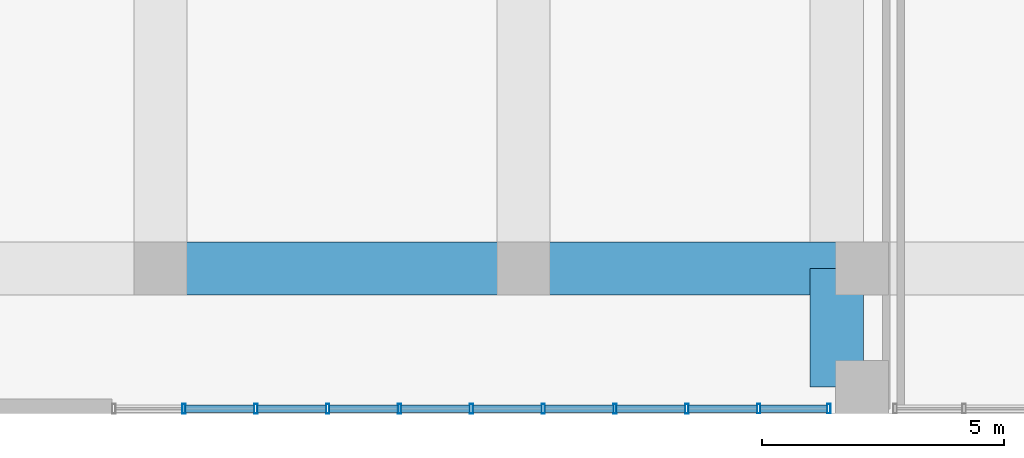
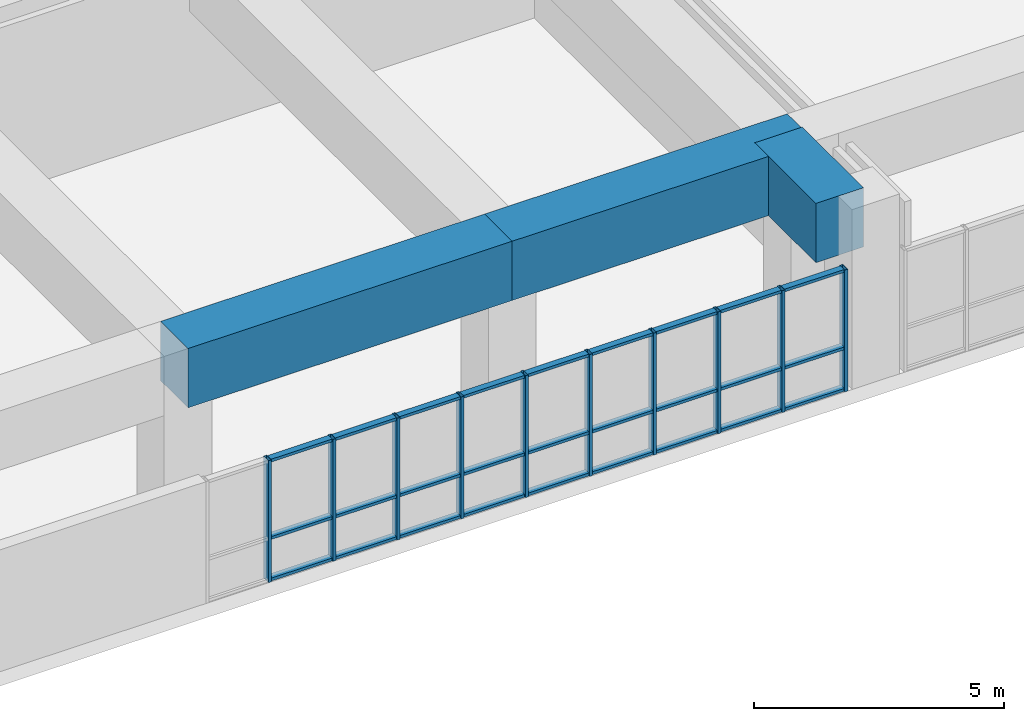
# One storey, part 4 of 28: 37 members, 3 beams, 1 element without a shape of its own.
"""IFC4 building model written with IfcOpenShell, lengths in metres."""

import ifcopenshell
import ifcopenshell.guid

model = None  # the IFC model being written
_history = None  # IfcOwnerHistory: only IFC2X3 demands one
_inside = {}  # id of a spatial element -> (the spatial element, [elements in it])
_under = {}  # id of a project, library or spatial element -> (it, [spatial elements below it])
_declared = {}  # id of a project -> (the project, [libraries it declares])
_typed = {}  # id of a type object -> (the type object, [elements of that type])
_made_of = {}  # id of a material, layer set ... -> (it, [elements and type objects made of it])


def new_model(schema):
    """Start an empty IFC model of exactly this schema.

    Asked for "IFC4X3", IfcOpenShell would pick the latest addendum, in which some entities
    have other attributes; the version numbers below select the first issue.
    IFC2X3 requires an IfcOwnerHistory on every rooted entity: one is made here for all.
    """
    global model, _history
    if schema == "IFC4X3":
        model = ifcopenshell.file(schema_version=(4, 3, 0, 0))
    else:
        model = ifcopenshell.file(schema=schema)
    _inside.clear()
    _under.clear()
    _declared.clear()
    _typed.clear()
    _made_of.clear()
    _history = None
    if model.schema == "IFC2X3":
        org = make("IfcOrganization", Name="unknown")
        user = make(
            "IfcPersonAndOrganization",
            ThePerson=make("IfcPerson", FamilyName="unknown"),
            TheOrganization=org,
        )
        app = make(
            "IfcApplication",
            ApplicationDeveloper=org,
            Version="unknown",
            ApplicationFullName="unknown",
            ApplicationIdentifier="unknown",
        )
        _history = make(
            "IfcOwnerHistory",
            OwningUser=user,
            OwningApplication=app,
            ChangeAction="ADDED",
            CreationDate=0,
        )
    return model


def make(cls, **values):
    """One entity of the class cls with the attributes given. An attribute that is None is left unset."""
    return model.create_entity(
        cls, **{name: value for name, value in values.items() if value is not None}
    )


def rooted(cls, **values):
    """An entity with a GlobalId (a new one), such as an element, a storey or a relation."""
    return make(cls, GlobalId=ifcopenshell.guid.new(), OwnerHistory=_history, **values)


def si_unit(unit_type, name, prefix=None):
    """IfcSIUnit, for example si_unit("LENGTHUNIT", "METRE", prefix="MILLI")."""
    return make("IfcSIUnit", UnitType=unit_type, Prefix=prefix, Name=name)


def assignment(units):
    """IfcUnitAssignment: the units of a project."""
    return None if units is None else make("IfcUnitAssignment", Units=units)


def point(xyz):
    """IfcCartesianPoint."""
    return None if xyz is None else make("IfcCartesianPoint", Coordinates=xyz)


def direction(xyz):
    """IfcDirection."""
    return None if xyz is None else make("IfcDirection", DirectionRatios=xyz)


def frame(location, z_axis=None, x_axis=None):
    """IfcAxis2Placement3D, a coordinate frame: its origin and axes. An axis left out is left unset."""
    return make(
        "IfcAxis2Placement3D",
        Location=point(location),
        Axis=direction(z_axis),
        RefDirection=direction(x_axis),
    )


def frame_2d(location, x_axis=None):
    """IfcAxis2Placement2D, a coordinate frame in the plane: its origin and x axis."""
    return make(
        "IfcAxis2Placement2D", Location=point(location), RefDirection=direction(x_axis)
    )


def origin():
    """The frame at (0, 0, 0) with its axes left unset."""
    return frame((0.0, 0.0, 0.0))


def origin_2d():
    """The frame at (0, 0) in the plane with its x axis left unset."""
    return frame_2d((0.0, 0.0))


def place(relative_to, where):
    """IfcLocalPlacement: puts the frame where relative to a parent placement (None: the world)."""
    return make(
        "IfcLocalPlacement", PlacementRelTo=relative_to, RelativePlacement=where
    )


def context(
    kind, dimensions, precision=None, world=None, true_north=None, identifier=None
):
    """IfcGeometricRepresentationContext, for example the 3D "Model" context."""
    return make(
        "IfcGeometricRepresentationContext",
        ContextIdentifier=identifier,
        ContextType=kind,
        CoordinateSpaceDimension=dimensions,
        Precision=precision,
        WorldCoordinateSystem=world,
        TrueNorth=true_north,
    )


def subcontext(parent, identifier, kind, view, scale=None):
    """IfcGeometricRepresentationSubContext, for example "Body" below "Model"."""
    return make(
        "IfcGeometricRepresentationSubContext",
        ContextIdentifier=identifier,
        ContextType=kind,
        ParentContext=parent,
        TargetScale=scale,
        TargetView=view,
    )


def project(units=None, contexts=None):
    """IfcProject with its units and contexts."""
    return rooted(
        "IfcProject",
        Name="project",
        RepresentationContexts=contexts,
        UnitsInContext=assignment(units),
    )


def spatial(cls, under=None, at=None, **own):
    """A site, building, storey or space (cls), placed at a placement, below another one or the project."""
    s = rooted(cls, ObjectPlacement=at, **own)
    if under is not None:
        _under.setdefault(under.id(), (under, []))[1].append(s)
    return s


def profile(cls, at=None, kind="AREA", **sizes):
    """A parametric profile (cls). Its sizes go by their IFC names, for example OverallWidth=200.0."""
    return make(cls, ProfileType=kind, Position=at, **sizes)


def rectangle(**sizes):
    """IfcRectangleProfileDef."""
    return profile("IfcRectangleProfileDef", **sizes)


def hollow_rectangle(**sizes):
    """IfcRectangleHollowProfileDef."""
    return profile("IfcRectangleHollowProfileDef", **sizes)


def extrude(swept, where, along, depth):
    """IfcExtrudedAreaSolid: the profile swept, set in the frame where, extruded along a direction by depth."""
    return make(
        "IfcExtrudedAreaSolid",
        SweptArea=swept,
        Position=where,
        ExtrudedDirection=direction(along),
        Depth=depth,
    )


def shape(context_of_items, identifier, shape_type, items):
    """IfcShapeRepresentation: the items that make up one representation, for example the "Body"."""
    return make(
        "IfcShapeRepresentation",
        ContextOfItems=context_of_items,
        RepresentationIdentifier=identifier,
        RepresentationType=shape_type,
        Items=items,
    )


def source(mapping_origin, context_of_items, identifier, shape_type, items):
    """IfcRepresentationMap: a shape defined once, which mapped items show again and again."""
    return make(
        "IfcRepresentationMap",
        MappingOrigin=mapping_origin,
        MappedRepresentation=shape(context_of_items, identifier, shape_type, items),
    )


def transform(
    local_origin,
    x_axis=None,
    y_axis=None,
    z_axis=None,
    scale=None,
    scale2=None,
    scale3=None,
    uniform=True,
):
    """IfcCartesianTransformationOperator3D, or its non-uniform kind. x_axis, y_axis, z_axis: its Axis1, 2, 3."""
    if uniform:
        return make(
            "IfcCartesianTransformationOperator3D",
            Axis1=direction(x_axis),
            Axis2=direction(y_axis),
            LocalOrigin=point(local_origin),
            Scale=scale,
            Axis3=direction(z_axis),
        )
    return make(
        "IfcCartesianTransformationOperator3DnonUniform",
        Axis1=direction(x_axis),
        Axis2=direction(y_axis),
        LocalOrigin=point(local_origin),
        Scale=scale,
        Axis3=direction(z_axis),
        Scale2=scale2,
        Scale3=scale3,
    )


def mapped(mapping_source, mapping_target):
    """IfcMappedItem: shows the shape of a source again, moved by a transform."""
    return make(
        "IfcMappedItem", MappingSource=mapping_source, MappingTarget=mapping_target
    )


def material(Name=None, Category=None):
    """IfcMaterial."""
    return make("IfcMaterial", Name=Name, Category=Category)


def layer(
    of_material, thickness, ventilated=None, Name=None, Category=None, Priority=None
):
    """IfcMaterialLayer: one layer of a wall or slab, of a material (None: an air gap)."""
    return make(
        "IfcMaterialLayer",
        Material=of_material,
        LayerThickness=thickness,
        IsVentilated=ventilated,
        Name=Name,
        Category=Category,
        Priority=Priority,
    )


def layer_set(layers, Name=None):
    """IfcMaterialLayerSet."""
    return make("IfcMaterialLayerSet", MaterialLayers=layers, LayerSetName=Name)


def material_profile(
    of_material, cross_section, Name=None, Category=None, Priority=None
):
    """IfcMaterialProfile: a cross section and its material."""
    return make(
        "IfcMaterialProfile",
        Name=Name,
        Material=of_material,
        Profile=cross_section,
        Priority=Priority,
        Category=Category,
    )


def profile_set(profiles, Name=None, composite=None):
    """IfcMaterialProfileSet."""
    return make(
        "IfcMaterialProfileSet",
        Name=Name,
        MaterialProfiles=profiles,
        CompositeProfile=composite,
    )


def made_of(thing, what):
    """Note that an element or type object is made of a material, layer set ...; save() writes the relation."""
    if what is not None:
        _made_of.setdefault(what.id(), (what, []))[1].append(thing)
    return thing


def type_object(cls, material=None, **own):
    """A type object (cls), such as IfcWallType, which elements share."""
    return made_of(rooted(cls, **own), material)


def element(
    cls,
    number,
    at=None,
    inside=None,
    cuts=None,
    type_object=None,
    material=None,
    context=None,
    identifier="Body",
    shape_type=None,
    held_by="IfcProductDefinitionShape",
    body=None,
    shapes=None,
    **own,
):
    """One element of the class cls, such as IfcWall. Its Tag is "e" and its number.

    at: its placement. inside: the storey or other place that contains it. cuts: it is an
    opening in that element (IfcRelVoidsElement). A single representation is given by context,
    identifier, shape_type and body (its items); several are given by shapes. held_by: the class
    of the entity that holds the representations. save() writes the other relations.
    """
    e = rooted(cls, Tag="e%d" % number, ObjectPlacement=at, **own)
    if body is not None:
        shapes = [shape(context, identifier, shape_type, body)]
    if shapes is not None:
        e.Representation = make(held_by, Representations=shapes)
    if inside is not None:
        _inside.setdefault(inside.id(), (inside, []))[1].append(e)
    if cuts is not None:
        rooted(
            "IfcRelVoidsElement", RelatingBuildingElement=cuts, RelatedOpeningElement=e
        )
    if type_object is not None:
        _typed.setdefault(type_object.id(), (type_object, []))[1].append(e)
    return made_of(e, material)


def aggregate(whole, parts):
    """IfcRelAggregates: a whole, such as a stair, and the parts it consists of."""
    return rooted("IfcRelAggregates", RelatingObject=whole, RelatedObjects=parts)


def save(model, path):
    """Write the relations noted so far, then the file.

    IfcRelAggregates (storeys below a building ...), IfcRelContainedInSpatialStructure (elements
    in a storey), IfcRelDefinesByType, IfcRelAssociatesMaterial and IfcRelDeclares: one each for
    every whole, place, type object, material and project.
    """
    for whole, parts in _under.values():
        aggregate(whole, parts)
    for where, things in _inside.values():
        rooted(
            "IfcRelContainedInSpatialStructure",
            RelatedElements=things,
            RelatingStructure=where,
        )
    for kind, things in _typed.values():
        rooted("IfcRelDefinesByType", RelatedObjects=things, RelatingType=kind)
    for what, things in _made_of.values():
        rooted("IfcRelAssociatesMaterial", RelatedObjects=things, RelatingMaterial=what)
    for by, libraries in _declared.values():
        rooted("IfcRelDeclares", RelatingContext=by, RelatedDefinitions=libraries)
    model.write(path)


model = new_model("IFC4")

# Units and contexts
model_context = context("Model", 3, precision=1e-05, world=origin(), true_north=direction((0.0, 1.0)))
body_context = subcontext(model_context, "Body", "Model", "MODEL_VIEW")
ifc_project = project(units=[si_unit("LENGTHUNIT", "METRE"), si_unit("AREAUNIT", "SQUARE_METRE"), si_unit("VOLUMEUNIT", "CUBIC_METRE"), si_unit("PLANEANGLEUNIT", "RADIAN"), si_unit("MASSUNIT", "GRAM", prefix="KILO")], contexts=[model_context])

# Site, building, storey
site_placement = place(None, origin())
site = spatial("IfcSite", under=ifc_project, at=site_placement, CompositionType="ELEMENT")
building_placement = place(site_placement, origin())
building = spatial("IfcBuilding", under=site, at=building_placement, Name="Saelheon Loggia Tower", CompositionType="ELEMENT")
storey_placement = place(building_placement, frame((0.0, 0.0, 15.0)))
storey = spatial("IfcBuildingStorey", under=building, at=storey_placement, Name="L04", CompositionType="ELEMENT", Elevation=15.0)

# Beams
ifc_material_1 = material(Name="Concrete C50/60", Category="concrete")
ifc_material_profile_1 = material_profile(ifc_material_1, rectangle(XDim=1.10009765625, YDim=1.449951171875, at=origin_2d()), Name="RC-1100x1450")
ifc_profile_set_1 = profile_set([ifc_material_profile_1], Name="Concrete C50/60")
beam_type = type_object("IfcBeamType", Name="Beam_Transfer_RC1100x1450", PredefinedType="BEAM", material=ifc_profile_set_1)
shared_shape_1 = source(origin(), body_context, "Body", "SweptSolid", [
    extrude(rectangle(XDim=1.10009765625, YDim=1.449951171875, at=origin_2d()), origin(), (0.0, 0.0, 1.0), 7.5),
])
beam_1_placement = place(storey_placement, frame((17.0, 3.0, 3.675048828125), z_axis=(1.0, 0.0, 0.0), x_axis=(0.0, 1.0, 0.0)))
element("IfcBeam", 1, at=beam_1_placement, inside=storey, type_object=beam_type, Name="BM-L04-EW-3-2", PredefinedType="BEAM", context=body_context, shape_type="MappedRepresentation", body=[
    mapped(shared_shape_1, transform((0.0, 0.0, 0.0), scale=1.0)),
])
shared_shape_2 = source(origin(), body_context, "Body", "SweptSolid", [
    extrude(rectangle(XDim=1.10009765625, YDim=1.449951171875, at=origin_2d()), origin(), (0.0, 0.0, 1.0), 7.0),
])
beam_2_placement = place(storey_placement, frame((24.5, 3.0, 3.675048828125), z_axis=(1.0, 0.0, 0.0), x_axis=(0.0, 1.0, 0.0)))
element("IfcBeam", 2, at=beam_2_placement, inside=storey, type_object=beam_type, Name="BM-L04-EW-3-3", PredefinedType="BEAM", context=body_context, shape_type="MappedRepresentation", body=[
    mapped(shared_shape_2, transform((0.0, 0.0, 0.0), scale=1.0)),
])
shared_shape_3 = source(origin(), body_context, "Body", "SweptSolid", [
    extrude(rectangle(XDim=1.10009765625, YDim=1.449951171875, at=origin_2d()), origin(), (0.0, 0.0, 1.0), 2.449951171875),
])
beam_3_placement = place(storey_placement, frame((30.97998046875, 0.550048828125, 3.675048828125), z_axis=(0.0, 1.0, 0.0), x_axis=(-1.0, 0.0, 0.0)))
element("IfcBeam", 3, at=beam_3_placement, inside=storey, type_object=beam_type, Name="BM-L04-NS-30-1", PredefinedType="BEAM", context=body_context, shape_type="MappedRepresentation", body=[
    mapped(shared_shape_3, transform((0.0, 0.0, 0.0), scale=1.0)),
])

# Curtain wall, members
ifc_material_2 = material(Name="Aluminium 6063-T6 and Low-E IGU", Category="aluminium")
ifc_layer = layer(ifc_material_2, 0.179931640625)
ifc_layer_set = layer_set([ifc_layer], Name="Aluminium 6063-T6 and Low-E IGU")
curtain_wall_type = type_object("IfcCurtainWallType", Name="CW_PodiumClinic", PredefinedType="NOTDEFINED", material=ifc_layer_set)
curtain_wall_placement = place(storey_placement, origin())
curtain_wall = element("IfcCurtainWall", 4, at=curtain_wall_placement, inside=storey, type_object=curtain_wall_type, Name="L04 South Clinic Curtain Wall 1", PredefinedType="NOTDEFINED")
ifc_material_3 = material(Name="Anodised Aluminium 6063-T6", Category="aluminium")
ifc_material_profile_2 = material_profile(ifc_material_3, hollow_rectangle(XDim=0.070068359375, YDim=0.14990234375, WallThickness=0.0048828125, at=origin_2d()), Name="RHS-150x70x5")
ifc_profile_set_2 = profile_set([ifc_material_profile_2], Name="Anodised Aluminium 6063-T6")
member_type_1 = type_object("IfcMemberType", Name="CW_PodiumClinic_Transom", PredefinedType="USERDEFINED", material=ifc_profile_set_2)
shared_shape_4 = source(origin(), body_context, "Body", "SweptSolid", [
    extrude(hollow_rectangle(XDim=0.070068359375, YDim=0.14990234375, WallThickness=0.0048828125, at=origin_2d()), origin(), (0.0, 0.0, 1.0), 1.4150390625),
])
member_1_placement = place(storey_placement, frame((17.52001953125, 0.10009765625, 0.034912109375), z_axis=(1.0, 0.0, 0.0), x_axis=(0.0, 0.0, 1.0)))
member_1 = element("IfcMember", 5, at=member_1_placement, type_object=member_type_1, Name="CW1 transom 2.1", ObjectType="TRANSOM", PredefinedType="USERDEFINED", context=body_context, shape_type="MappedRepresentation", body=[
    mapped(shared_shape_4, transform((0.0, 0.0, 0.0), scale=1.0)),
])
member_2_placement = place(storey_placement, frame((17.52001953125, 0.10009765625, 1.050048828125), z_axis=(1.0, 0.0, 0.0), x_axis=(0.0, 0.0, 1.0)))
member_2 = element("IfcMember", 6, at=member_2_placement, type_object=member_type_1, Name="CW1 transom 2.2", ObjectType="TRANSOM", PredefinedType="USERDEFINED", context=body_context, shape_type="MappedRepresentation", body=[
    mapped(shared_shape_4, transform((0.0, 0.0, 0.0), scale=1.0)),
])
member_3_placement = place(storey_placement, frame((17.52001953125, 0.10009765625, 2.945068359375), z_axis=(1.0, 0.0, 0.0), x_axis=(0.0, 0.0, 1.0)))
member_3 = element("IfcMember", 7, at=member_3_placement, type_object=member_type_1, Name="CW1 transom 2.3", ObjectType="TRANSOM", PredefinedType="USERDEFINED", context=body_context, shape_type="MappedRepresentation", body=[
    mapped(shared_shape_4, transform((0.0, 0.0, 0.0), scale=1.0)),
])
member_4_placement = place(storey_placement, frame((19.0048828125, 0.10009765625, 0.034912109375), z_axis=(1.0, 0.0, 0.0), x_axis=(0.0, 0.0, 1.0)))
member_4 = element("IfcMember", 8, at=member_4_placement, type_object=member_type_1, Name="CW1 transom 3.1", ObjectType="TRANSOM", PredefinedType="USERDEFINED", context=body_context, shape_type="MappedRepresentation", body=[
    mapped(shared_shape_4, transform((0.0, 0.0, 0.0), scale=1.0)),
])
member_5_placement = place(storey_placement, frame((19.0048828125, 0.10009765625, 1.050048828125), z_axis=(1.0, 0.0, 0.0), x_axis=(0.0, 0.0, 1.0)))
member_5 = element("IfcMember", 9, at=member_5_placement, type_object=member_type_1, Name="CW1 transom 3.2", ObjectType="TRANSOM", PredefinedType="USERDEFINED", context=body_context, shape_type="MappedRepresentation", body=[
    mapped(shared_shape_4, transform((0.0, 0.0, 0.0), scale=1.0)),
])
member_6_placement = place(storey_placement, frame((19.0048828125, 0.10009765625, 2.945068359375), z_axis=(1.0, 0.0, 0.0), x_axis=(0.0, 0.0, 1.0)))
member_6 = element("IfcMember", 10, at=member_6_placement, type_object=member_type_1, Name="CW1 transom 3.3", ObjectType="TRANSOM", PredefinedType="USERDEFINED", context=body_context, shape_type="MappedRepresentation", body=[
    mapped(shared_shape_4, transform((0.0, 0.0, 0.0), scale=1.0)),
])
member_7_placement = place(storey_placement, frame((20.489990234375, 0.10009765625, 0.034912109375), z_axis=(1.0, 0.0, 0.0), x_axis=(0.0, 0.0, 1.0)))
member_7 = element("IfcMember", 11, at=member_7_placement, type_object=member_type_1, Name="CW1 transom 4.1", ObjectType="TRANSOM", PredefinedType="USERDEFINED", context=body_context, shape_type="MappedRepresentation", body=[
    mapped(shared_shape_4, transform((0.0, 0.0, 0.0), scale=1.0)),
])
member_8_placement = place(storey_placement, frame((20.489990234375, 0.10009765625, 1.050048828125), z_axis=(1.0, 0.0, 0.0), x_axis=(0.0, 0.0, 1.0)))
member_8 = element("IfcMember", 12, at=member_8_placement, type_object=member_type_1, Name="CW1 transom 4.2", ObjectType="TRANSOM", PredefinedType="USERDEFINED", context=body_context, shape_type="MappedRepresentation", body=[
    mapped(shared_shape_4, transform((0.0, 0.0, 0.0), scale=1.0)),
])
member_9_placement = place(storey_placement, frame((20.489990234375, 0.10009765625, 2.945068359375), z_axis=(1.0, 0.0, 0.0), x_axis=(0.0, 0.0, 1.0)))
member_9 = element("IfcMember", 13, at=member_9_placement, type_object=member_type_1, Name="CW1 transom 4.3", ObjectType="TRANSOM", PredefinedType="USERDEFINED", context=body_context, shape_type="MappedRepresentation", body=[
    mapped(shared_shape_4, transform((0.0, 0.0, 0.0), scale=1.0)),
])
member_10_placement = place(storey_placement, frame((23.4599609375, 0.10009765625, 0.034912109375), z_axis=(1.0, 0.0, 0.0), x_axis=(0.0, 0.0, 1.0)))
member_10 = element("IfcMember", 14, at=member_10_placement, type_object=member_type_1, Name="CW1 transom 6.1", ObjectType="TRANSOM", PredefinedType="USERDEFINED", context=body_context, shape_type="MappedRepresentation", body=[
    mapped(shared_shape_4, transform((0.0, 0.0, 0.0), scale=1.0)),
])
member_11_placement = place(storey_placement, frame((23.4599609375, 0.10009765625, 1.050048828125), z_axis=(1.0, 0.0, 0.0), x_axis=(0.0, 0.0, 1.0)))
member_11 = element("IfcMember", 15, at=member_11_placement, type_object=member_type_1, Name="CW1 transom 6.2", ObjectType="TRANSOM", PredefinedType="USERDEFINED", context=body_context, shape_type="MappedRepresentation", body=[
    mapped(shared_shape_4, transform((0.0, 0.0, 0.0), scale=1.0)),
])
member_12_placement = place(storey_placement, frame((23.4599609375, 0.10009765625, 2.945068359375), z_axis=(1.0, 0.0, 0.0), x_axis=(0.0, 0.0, 1.0)))
member_12 = element("IfcMember", 16, at=member_12_placement, type_object=member_type_1, Name="CW1 transom 6.3", ObjectType="TRANSOM", PredefinedType="USERDEFINED", context=body_context, shape_type="MappedRepresentation", body=[
    mapped(shared_shape_4, transform((0.0, 0.0, 0.0), scale=1.0)),
])
member_13_placement = place(storey_placement, frame((24.945068359375, 0.10009765625, 0.034912109375), z_axis=(1.0, 0.0, 0.0), x_axis=(0.0, 0.0, 1.0)))
member_13 = element("IfcMember", 17, at=member_13_placement, type_object=member_type_1, Name="CW1 transom 7.1", ObjectType="TRANSOM", PredefinedType="USERDEFINED", context=body_context, shape_type="MappedRepresentation", body=[
    mapped(shared_shape_4, transform((0.0, 0.0, 0.0), scale=1.0)),
])
member_14_placement = place(storey_placement, frame((24.945068359375, 0.10009765625, 1.050048828125), z_axis=(1.0, 0.0, 0.0), x_axis=(0.0, 0.0, 1.0)))
member_14 = element("IfcMember", 18, at=member_14_placement, type_object=member_type_1, Name="CW1 transom 7.2", ObjectType="TRANSOM", PredefinedType="USERDEFINED", context=body_context, shape_type="MappedRepresentation", body=[
    mapped(shared_shape_4, transform((0.0, 0.0, 0.0), scale=1.0)),
])
member_15_placement = place(storey_placement, frame((24.945068359375, 0.10009765625, 2.945068359375), z_axis=(1.0, 0.0, 0.0), x_axis=(0.0, 0.0, 1.0)))
member_15 = element("IfcMember", 19, at=member_15_placement, type_object=member_type_1, Name="CW1 transom 7.3", ObjectType="TRANSOM", PredefinedType="USERDEFINED", context=body_context, shape_type="MappedRepresentation", body=[
    mapped(shared_shape_4, transform((0.0, 0.0, 0.0), scale=1.0)),
])
member_16_placement = place(storey_placement, frame((26.429931640625, 0.10009765625, 0.034912109375), z_axis=(1.0, 0.0, 0.0), x_axis=(0.0, 0.0, 1.0)))
member_16 = element("IfcMember", 20, at=member_16_placement, type_object=member_type_1, Name="CW1 transom 8.1", ObjectType="TRANSOM", PredefinedType="USERDEFINED", context=body_context, shape_type="MappedRepresentation", body=[
    mapped(shared_shape_4, transform((0.0, 0.0, 0.0), scale=1.0)),
])
member_17_placement = place(storey_placement, frame((26.429931640625, 0.10009765625, 1.050048828125), z_axis=(1.0, 0.0, 0.0), x_axis=(0.0, 0.0, 1.0)))
member_17 = element("IfcMember", 21, at=member_17_placement, type_object=member_type_1, Name="CW1 transom 8.2", ObjectType="TRANSOM", PredefinedType="USERDEFINED", context=body_context, shape_type="MappedRepresentation", body=[
    mapped(shared_shape_4, transform((0.0, 0.0, 0.0), scale=1.0)),
])
member_18_placement = place(storey_placement, frame((26.429931640625, 0.10009765625, 2.945068359375), z_axis=(1.0, 0.0, 0.0), x_axis=(0.0, 0.0, 1.0)))
member_18 = element("IfcMember", 22, at=member_18_placement, type_object=member_type_1, Name="CW1 transom 8.3", ObjectType="TRANSOM", PredefinedType="USERDEFINED", context=body_context, shape_type="MappedRepresentation", body=[
    mapped(shared_shape_4, transform((0.0, 0.0, 0.0), scale=1.0)),
])
member_19_placement = place(storey_placement, frame((27.9150390625, 0.10009765625, 0.034912109375), z_axis=(1.0, 0.0, 0.0), x_axis=(0.0, 0.0, 1.0)))
member_19 = element("IfcMember", 23, at=member_19_placement, type_object=member_type_1, Name="CW1 transom 9.1", ObjectType="TRANSOM", PredefinedType="USERDEFINED", context=body_context, shape_type="MappedRepresentation", body=[
    mapped(shared_shape_4, transform((0.0, 0.0, 0.0), scale=1.0)),
])
member_20_placement = place(storey_placement, frame((27.9150390625, 0.10009765625, 1.050048828125), z_axis=(1.0, 0.0, 0.0), x_axis=(0.0, 0.0, 1.0)))
member_20 = element("IfcMember", 24, at=member_20_placement, type_object=member_type_1, Name="CW1 transom 9.2", ObjectType="TRANSOM", PredefinedType="USERDEFINED", context=body_context, shape_type="MappedRepresentation", body=[
    mapped(shared_shape_4, transform((0.0, 0.0, 0.0), scale=1.0)),
])
member_21_placement = place(storey_placement, frame((27.9150390625, 0.10009765625, 2.945068359375), z_axis=(1.0, 0.0, 0.0), x_axis=(0.0, 0.0, 1.0)))
member_21 = element("IfcMember", 25, at=member_21_placement, type_object=member_type_1, Name="CW1 transom 9.3", ObjectType="TRANSOM", PredefinedType="USERDEFINED", context=body_context, shape_type="MappedRepresentation", body=[
    mapped(shared_shape_4, transform((0.0, 0.0, 0.0), scale=1.0)),
])
shared_shape_5 = source(origin(), body_context, "Body", "SweptSolid", [
    extrude(hollow_rectangle(XDim=0.070068359375, YDim=0.14990234375, WallThickness=0.0048828125, at=origin_2d()), origin(), (0.0, 0.0, 1.0), 1.414794921875),
])
member_22_placement = place(storey_placement, frame((21.97509765625, 0.10009765625, 0.034912109375), z_axis=(1.0, 0.0, 0.0), x_axis=(0.0, 0.0, 1.0)))
member_22 = element("IfcMember", 26, at=member_22_placement, type_object=member_type_1, Name="CW1 transom 5.1", ObjectType="TRANSOM", PredefinedType="USERDEFINED", context=body_context, shape_type="MappedRepresentation", body=[
    mapped(shared_shape_5, transform((0.0, 0.0, 0.0), scale=1.0)),
])
member_23_placement = place(storey_placement, frame((21.97509765625, 0.10009765625, 1.050048828125), z_axis=(1.0, 0.0, 0.0), x_axis=(0.0, 0.0, 1.0)))
member_23 = element("IfcMember", 27, at=member_23_placement, type_object=member_type_1, Name="CW1 transom 5.2", ObjectType="TRANSOM", PredefinedType="USERDEFINED", context=body_context, shape_type="MappedRepresentation", body=[
    mapped(shared_shape_5, transform((0.0, 0.0, 0.0), scale=1.0)),
])
member_24_placement = place(storey_placement, frame((21.97509765625, 0.10009765625, 2.945068359375), z_axis=(1.0, 0.0, 0.0), x_axis=(0.0, 0.0, 1.0)))
member_24 = element("IfcMember", 28, at=member_24_placement, type_object=member_type_1, Name="CW1 transom 5.3", ObjectType="TRANSOM", PredefinedType="USERDEFINED", context=body_context, shape_type="MappedRepresentation", body=[
    mapped(shared_shape_5, transform((0.0, 0.0, 0.0), scale=1.0)),
])
shared_shape_6 = source(origin(), body_context, "Body", "SweptSolid", [
    extrude(hollow_rectangle(XDim=0.070068359375, YDim=0.14990234375, WallThickness=0.0048828125, at=origin_2d()), origin(), (0.0, 0.0, 1.0), 1.380126953125),
])
member_25_placement = place(storey_placement, frame((29.39990234375, 0.10009765625, 0.034912109375), z_axis=(1.0, 0.0, 0.0), x_axis=(0.0, 0.0, 1.0)))
member_25 = element("IfcMember", 29, at=member_25_placement, type_object=member_type_1, Name="CW1 transom 10.1", ObjectType="TRANSOM", PredefinedType="USERDEFINED", context=body_context, shape_type="MappedRepresentation", body=[
    mapped(shared_shape_6, transform((0.0, 0.0, 0.0), scale=1.0)),
])
member_26_placement = place(storey_placement, frame((29.39990234375, 0.10009765625, 1.050048828125), z_axis=(1.0, 0.0, 0.0), x_axis=(0.0, 0.0, 1.0)))
member_26 = element("IfcMember", 30, at=member_26_placement, type_object=member_type_1, Name="CW1 transom 10.2", ObjectType="TRANSOM", PredefinedType="USERDEFINED", context=body_context, shape_type="MappedRepresentation", body=[
    mapped(shared_shape_6, transform((0.0, 0.0, 0.0), scale=1.0)),
])
member_27_placement = place(storey_placement, frame((29.39990234375, 0.10009765625, 2.945068359375), z_axis=(1.0, 0.0, 0.0), x_axis=(0.0, 0.0, 1.0)))
member_27 = element("IfcMember", 31, at=member_27_placement, type_object=member_type_1, Name="CW1 transom 10.3", ObjectType="TRANSOM", PredefinedType="USERDEFINED", context=body_context, shape_type="MappedRepresentation", body=[
    mapped(shared_shape_6, transform((0.0, 0.0, 0.0), scale=1.0)),
])
ifc_material_profile_3 = material_profile(ifc_material_3, hollow_rectangle(XDim=0.070068359375, YDim=0.199951171875, WallThickness=0.0048828125, at=origin_2d()), Name="RHS-200x70x5")
ifc_profile_set_3 = profile_set([ifc_material_profile_3], Name="Anodised Aluminium 6063-T6")
member_type_2 = type_object("IfcMemberType", Name="CW_PodiumClinic_Mullion", PredefinedType="MULLION", material=ifc_profile_set_3)
shared_shape_7 = source(origin(), body_context, "Body", "SweptSolid", [
    extrude(hollow_rectangle(XDim=0.070068359375, YDim=0.199951171875, WallThickness=0.0048828125, at=origin_2d()), origin(), (0.0, 0.0, 1.0), 2.97998046875),
])
member_28_placement = place(storey_placement, frame((17.485107421875, 0.10009765625, 0.0), z_axis=(0.0, 0.0, 1.0), x_axis=(1.0, 0.0, 0.0)))
member_28 = element("IfcMember", 32, at=member_28_placement, type_object=member_type_2, Name="CW1 mullion 2", PredefinedType="MULLION", context=body_context, shape_type="MappedRepresentation", body=[
    mapped(shared_shape_7, transform((0.0, 0.0, 0.0), scale=1.0)),
])
member_29_placement = place(storey_placement, frame((18.969970703125, 0.10009765625, 0.0), z_axis=(0.0, 0.0, 1.0), x_axis=(1.0, 0.0, 0.0)))
member_29 = element("IfcMember", 33, at=member_29_placement, type_object=member_type_2, Name="CW1 mullion 3", PredefinedType="MULLION", context=body_context, shape_type="MappedRepresentation", body=[
    mapped(shared_shape_7, transform((0.0, 0.0, 0.0), scale=1.0)),
])
member_30_placement = place(storey_placement, frame((20.455078125, 0.10009765625, 0.0), z_axis=(0.0, 0.0, 1.0), x_axis=(1.0, 0.0, 0.0)))
member_30 = element("IfcMember", 34, at=member_30_placement, type_object=member_type_2, Name="CW1 mullion 4", PredefinedType="MULLION", context=body_context, shape_type="MappedRepresentation", body=[
    mapped(shared_shape_7, transform((0.0, 0.0, 0.0), scale=1.0)),
])
member_31_placement = place(storey_placement, frame((21.93994140625, 0.10009765625, 0.0), z_axis=(0.0, 0.0, 1.0), x_axis=(1.0, 0.0, 0.0)))
member_31 = element("IfcMember", 35, at=member_31_placement, type_object=member_type_2, Name="CW1 mullion 5", PredefinedType="MULLION", context=body_context, shape_type="MappedRepresentation", body=[
    mapped(shared_shape_7, transform((0.0, 0.0, 0.0), scale=1.0)),
])
member_32_placement = place(storey_placement, frame((23.425048828125, 0.10009765625, 0.0), z_axis=(0.0, 0.0, 1.0), x_axis=(1.0, 0.0, 0.0)))
member_32 = element("IfcMember", 36, at=member_32_placement, type_object=member_type_2, Name="CW1 mullion 6", PredefinedType="MULLION", context=body_context, shape_type="MappedRepresentation", body=[
    mapped(shared_shape_7, transform((0.0, 0.0, 0.0), scale=1.0)),
])
member_33_placement = place(storey_placement, frame((24.909912109375, 0.10009765625, 0.0), z_axis=(0.0, 0.0, 1.0), x_axis=(1.0, 0.0, 0.0)))
member_33 = element("IfcMember", 37, at=member_33_placement, type_object=member_type_2, Name="CW1 mullion 7", PredefinedType="MULLION", context=body_context, shape_type="MappedRepresentation", body=[
    mapped(shared_shape_7, transform((0.0, 0.0, 0.0), scale=1.0)),
])
member_34_placement = place(storey_placement, frame((26.39501953125, 0.10009765625, 0.0), z_axis=(0.0, 0.0, 1.0), x_axis=(1.0, 0.0, 0.0)))
member_34 = element("IfcMember", 38, at=member_34_placement, type_object=member_type_2, Name="CW1 mullion 8", PredefinedType="MULLION", context=body_context, shape_type="MappedRepresentation", body=[
    mapped(shared_shape_7, transform((0.0, 0.0, 0.0), scale=1.0)),
])
member_35_placement = place(storey_placement, frame((27.8798828125, 0.10009765625, 0.0), z_axis=(0.0, 0.0, 1.0), x_axis=(1.0, 0.0, 0.0)))
member_35 = element("IfcMember", 39, at=member_35_placement, type_object=member_type_2, Name="CW1 mullion 9", PredefinedType="MULLION", context=body_context, shape_type="MappedRepresentation", body=[
    mapped(shared_shape_7, transform((0.0, 0.0, 0.0), scale=1.0)),
])
member_36_placement = place(storey_placement, frame((29.364990234375, 0.10009765625, 0.0), z_axis=(0.0, 0.0, 1.0), x_axis=(1.0, 0.0, 0.0)))
member_36 = element("IfcMember", 40, at=member_36_placement, type_object=member_type_2, Name="CW1 mullion 10", PredefinedType="MULLION", context=body_context, shape_type="MappedRepresentation", body=[
    mapped(shared_shape_7, transform((0.0, 0.0, 0.0), scale=1.0)),
])
member_37_placement = place(storey_placement, frame((30.81494140625, 0.10009765625, 0.0), z_axis=(0.0, 0.0, 1.0), x_axis=(1.0, 0.0, 0.0)))
member_37 = element("IfcMember", 41, at=member_37_placement, type_object=member_type_2, Name="CW1 mullion 11", PredefinedType="MULLION", context=body_context, shape_type="MappedRepresentation", body=[
    mapped(shared_shape_7, transform((0.0, 0.0, 0.0), scale=1.0)),
])
aggregate(curtain_wall, [member_28, member_29, member_30, member_31, member_32, member_33, member_34, member_35, member_36, member_37, member_1, member_2, member_3, member_4, member_5, member_6, member_7, member_8, member_9, member_22, member_23, member_24, member_10, member_11, member_12, member_13, member_14, member_15, member_16, member_17, member_18, member_19, member_20, member_21, member_25, member_26, member_27])

save(model, "model.ifc")
